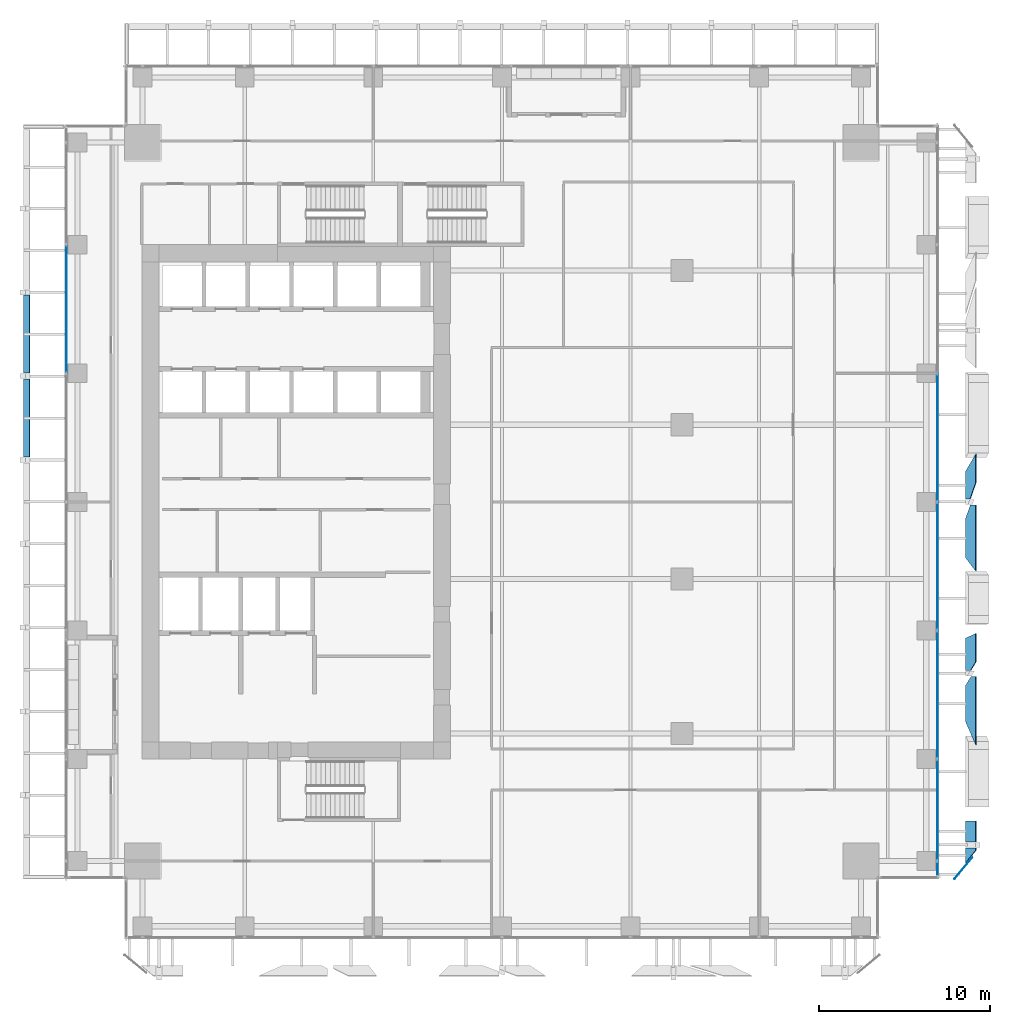
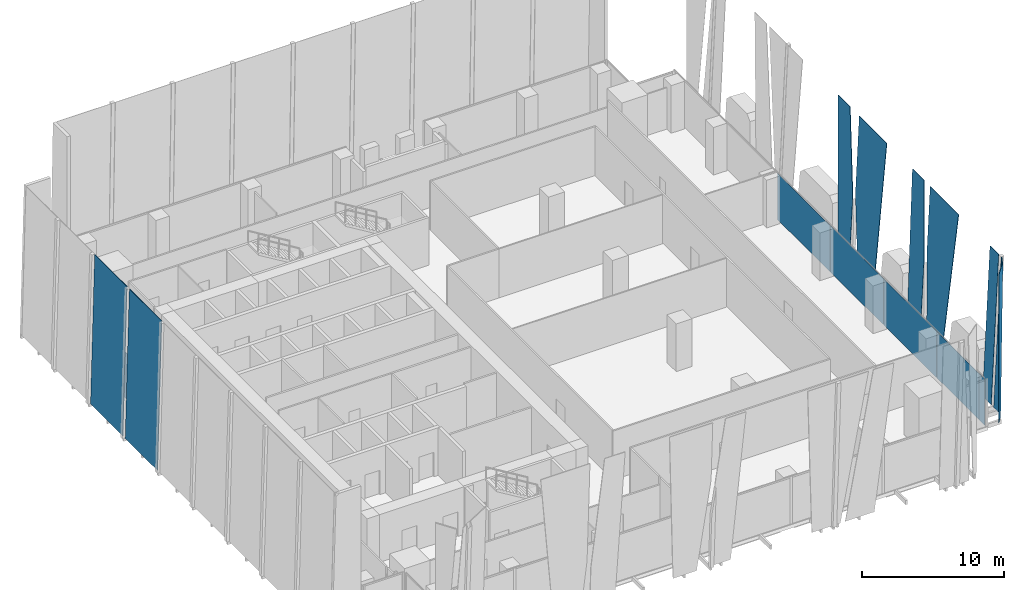
# One storey, part 23 of 34: 15 plates, 2 elements without a shape of their own.
"""IFC4 building model written with IfcOpenShell, lengths in metres."""

from ifc_helpers import new_model, si_unit, direction, frame, origin, origin_2d, place, context, subcontext, project, spatial, polyline, rectangle, outline, extrude, source, transform, mapped, material, layer, layer_set, type_object, element, aggregate, save


model = new_model("IFC4")

# Units and contexts
model_context = context("Model", 3, precision=1e-05, world=origin(), true_north=direction((0.0, 1.0)))
body_context = subcontext(model_context, "Body", "Model", "MODEL_VIEW")
ifc_project = project(units=[si_unit("LENGTHUNIT", "METRE"), si_unit("AREAUNIT", "SQUARE_METRE"), si_unit("VOLUMEUNIT", "CUBIC_METRE"), si_unit("PLANEANGLEUNIT", "RADIAN"), si_unit("MASSUNIT", "GRAM", prefix="KILO")], contexts=[model_context])

# Site, building, storey
site_placement = place(None, origin())
site = spatial("IfcSite", under=ifc_project, at=site_placement, CompositionType="ELEMENT")
building_placement = place(site_placement, origin())
building = spatial("IfcBuilding", under=site, at=building_placement, Name="Khomas Fold Tower", CompositionType="ELEMENT")
storey_placement = place(building_placement, frame((0.0, 0.0, 114.699951171875)))
storey = spatial("IfcBuildingStorey", under=building, at=storey_placement, Name="L24", CompositionType="ELEMENT", Elevation=114.699951171875)

# Plates
ifc_material_1 = material(Name="Clear laminated glass", Category="glass")
ifc_layer_1 = layer(ifc_material_1, 0.0400390625)
ifc_layer_set_1 = layer_set([ifc_layer_1], Name="Clear laminated glass")
plate_type_1 = type_object("IfcPlateType", Name="SK-Clear laminated glass leaf", PredefinedType="SHEET", material=ifc_layer_set_1)
plate_1_placement = place(storey_placement, frame((54.026611328125, 5.9521484375, 0.0), z_axis=(-0.998875266546, 0.0, 0.047415207295), x_axis=(0.047338631629, 0.056810177127, 0.997262080764)))
element("IfcPlate", 1, at=plate_1_placement, inside=storey, type_object=plate_type_1, Name="OUTER SKIN glass L24 EG098-1", PredefinedType="SHEET", context=body_context, shape_type="SweptSolid", body=[
    extrude(outline(polyline([(0.0, 0.0), (12.78500430922721, 0.0), (12.793617375632431, 0.15136647549218307), (0.049875341051813044, 0.8765118290980521), (0.0, 0.0)])), origin(), (0.0, 0.0, -1.0), 0.0400390625),
])
plate_2_placement = place(storey_placement, frame((54.026611328125, 8.39990234375, 0.0), z_axis=(-0.998875266546, 0.0, 0.047415207295), x_axis=(0.0, -1.0, 0.0)))
element("IfcPlate", 2, at=plate_2_placement, inside=storey, type_object=plate_type_1, Name="OUTER SKIN glass L24 EG099-3", PredefinedType="SHEET", context=body_context, shape_type="SweptSolid", body=[
    extrude(outline(polyline([(0.0, 0.0), (1.22998046875, 0.0), (1.22998046875, 12.764356498773965), (0.0, 12.764356498773965), (0.0, 0.0)])), origin(), (0.0, 0.0, -1.0), 0.0400390625),
])
plate_3_placement = place(storey_placement, frame((53.859619140625, 5.551513671875, 0.0), z_axis=(0.768179261714, -0.64023481775, 3.65917e-06), x_axis=(-0.640234817754, -0.768179261719, 2.38e-10)))
element("IfcPlate", 3, at=plate_3_placement, inside=storey, type_object=plate_type_1, Name="OUTER SKIN glass L24 EG098-4", PredefinedType="SHEET", context=body_context, shape_type="SweptSolid", body=[
    extrude(outline(polyline([(0.0, 0.0), (0.7179880649547179, 0.0), (0.7179880679862933, -12.749999999914643), (-0.9454285655296739, -12.75000000048087), (0.0, 0.0)])), origin(), (0.0, 0.0, -1.0), 0.0400390625),
])
plate_4_placement = place(storey_placement, frame((54.026611328125, 19.039306640625, 0.0), z_axis=(-0.998875317819, 2.7541205e-05, 0.047414119134), x_axis=(-2.751023e-05, -0.999999999621, 1.305842e-06)))
element("IfcPlate", 4, at=plate_4_placement, inside=storey, type_object=plate_type_1, Name="OUTER SKIN glass L24 EG101-6", PredefinedType="SHEET", context=body_context, shape_type="SweptSolid", body=[
    extrude(outline(polyline([(0.0, 0.0), (1.8693847649160191, -3.958576218949083e-22), (1.8693847675947208, 6.345755390910262), (1.3645019522245376, 12.764356498766391), (-0.2976074221450924, 12.764356498766391), (0.0, 0.0)])), origin(), (0.0, 0.0, -1.0), 0.0400390625),
])
plate_5_placement = place(storey_placement, frame((54.026611328125, 16.269775390625, 0.0), z_axis=(-0.998875293619, 1.3048677e-05, 0.047414635152), x_axis=(-1.3034001e-05, -0.999999999915, 6.18698e-07)))
element("IfcPlate", 5, at=plate_5_placement, inside=storey, type_object=plate_type_1, Name="OUTER SKIN glass L24 EG100-7", PredefinedType="SHEET", context=body_context, shape_type="SweptSolid", body=[
    extrude(outline(polyline([(0.0, 0.0), (2.0642089841992655, 0.0), (3.4423828121115343, 12.76435649877187), (-0.5603027344227007, 12.76435649877187), (-0.5603027354556985, 7.124472117003186), (0.0, 0.0)])), origin(), (0.0, 0.0, -1.0), 0.0400390625),
])
plate_6_placement = place(storey_placement, frame((54.026611328125, 28.761962890625, 0.0), z_axis=(-0.998875237146, -8.220637e-06, 0.047415825942), x_axis=(8.21139e-06, -0.999999999966, -3.89788e-07)))
element("IfcPlate", 6, at=plate_6_placement, inside=storey, type_object=plate_type_1, Name="OUTER SKIN glass L24 EG103-9", PredefinedType="SHEET", context=body_context, shape_type="SweptSolid", body=[
    extrude(outline(polyline([(0.0, 0.0), (1.592041015571206, 8.428194960091084e-23), (1.5920410157910023, 5.6941499765773305), (0.6303710936637116, 12.764356498771516), (-1.0300292969051845, 12.764356498771516), (0.0, 0.0)])), origin(), (0.0, 0.0, -1.0), 0.0400390625),
])
plate_7_placement = place(storey_placement, frame((54.026611328125, 25.99169921875, 0.0), z_axis=(-0.998875286781, 6.504439e-06, 0.047414780555), x_axis=(-6.497123e-06, -0.999999999979, 3.08407e-07)))
element("IfcPlate", 7, at=plate_7_placement, inside=storey, type_object=plate_type_1, Name="OUTER SKIN glass L24 EG102-10", PredefinedType="SHEET", context=body_context, shape_type="SweptSolid", body=[
    extrude(outline(polyline([(0.0, 0.0), (2.228515624952858, -1.1797663486537557e-22), (3.0332031249003664, 12.7643564987728), (-0.8383789062677349, 12.7643564987728), (-0.8383789065258163, 6.162450707636131), (0.0, 0.0)])), origin(), (0.0, 0.0, -1.0), 0.0400390625),
])
for number, where, z_axis, x_axis, name in (
    (8, (-0.894287109375, 29.614501953125, 0.0009765625), (-0.999657592188, 0.0, 0.026166741891), (0.0, 1.0, 0.0), "OUTER SKIN glass L24 W11"),
    (9, (-0.894287109375, 34.50341796875, 0.0009765625), (-0.999657592188, 0.0, 0.026166741891), (0.0, 1.0, 0.0), "OUTER SKIN glass L24 W13"),
):
    element("IfcPlate", number, at=place(storey_placement, frame(where, z_axis=z_axis, x_axis=x_axis)), inside=storey, type_object=plate_type_1, Name=name, PredefinedType="SHEET", context=body_context, shape_type="SweptSolid", body=[
        extrude(outline(polyline([(0.0, 0.0), (4.548828125, 0.0), (4.548828125, -12.75436719496662), (0.0, -12.75436719496662), (0.0, 0.0)])), origin(), (0.0, 0.0, -1.0), 0.0400390625),
    ])

# Curtain wall, plates
ifc_material_2 = material(Name="Aluminium framed double glazing", Category="aluminium")
curtain_wall_type = type_object("IfcCurtainWallType", Name="SK-Unitised clear-glass wall, growing floors CW1", PredefinedType="NOTDEFINED", material=ifc_material_2)
curtain_wall_1_placement = place(storey_placement, origin())
curtain_wall_1 = element("IfcCurtainWall", 10, at=curtain_wall_1_placement, inside=storey, type_object=curtain_wall_type, Name="CW1 run L24 03-0", PredefinedType="NOTDEFINED")
ifc_material_3 = material(Name="Clear double glazed unit")
ifc_layer_2 = layer(ifc_material_3, 0.031982421875)
ifc_layer_set_2 = layer_set([ifc_layer_2], Name="Clear double glazed unit")
plate_type_2 = type_object("IfcPlateType", Name="SK-Unitised clear-glass wall, growing floors glass panel CW1-P", PredefinedType="CURTAIN_PANEL", material=ifc_layer_set_2)
shared_shape_1 = source(origin(), body_context, "Body", "SweptSolid", [
    extrude(rectangle(XDim=0.760009765625, YDim=0.031982421875, at=origin_2d()), origin(), (0.0, 0.0, 1.0), 3.97998046875),
])
plate_8_placement = place(storey_placement, frame((52.39990234375, 5.639892578125, 0.0), z_axis=(0.0, 0.0, 1.0), x_axis=(0.0, 1.0, 0.0)))
plate_8 = element("IfcPlate", 11, at=plate_8_placement, type_object=plate_type_2, Name="CW1 glass panel 1", PredefinedType="CURTAIN_PANEL", context=body_context, shape_type="MappedRepresentation", body=[
    mapped(shared_shape_1, transform((0.0, 0.0, 0.0))),
])
shared_shape_2 = source(origin(), body_context, "Body", "SweptSolid", [
    extrude(rectangle(XDim=5.889892578125, YDim=0.031982421875, at=origin_2d()), origin(), (0.0, 0.0, 1.0), 3.97998046875),
])
plate_9_placement = place(storey_placement, frame((52.39990234375, 9.02490234375, 0.0), z_axis=(0.0, 0.0, 1.0), x_axis=(0.0, 1.0, 0.0)))
plate_9 = element("IfcPlate", 12, at=plate_9_placement, type_object=plate_type_2, Name="CW1 glass panel 2", PredefinedType="CURTAIN_PANEL", context=body_context, shape_type="MappedRepresentation", body=[
    mapped(shared_shape_2, transform((0.0, 0.0, 0.0))),
])
shared_shape_3 = source(origin(), body_context, "Body", "SweptSolid", [
    extrude(rectangle(XDim=7.43994140625, YDim=0.031982421875, at=origin_2d()), origin(), (0.0, 0.0, 1.0), 3.97998046875),
])
plate_10_placement = place(storey_placement, frame((52.39990234375, 15.75, 0.0), z_axis=(0.0, 0.0, 1.0), x_axis=(0.0, 1.0, 0.0)))
plate_10 = element("IfcPlate", 13, at=plate_10_placement, type_object=plate_type_2, Name="CW1 glass panel 3", PredefinedType="CURTAIN_PANEL", context=body_context, shape_type="MappedRepresentation", body=[
    mapped(shared_shape_3, transform((0.0, 0.0, 0.0))),
])
plate_11_placement = place(storey_placement, frame((52.39990234375, 23.25, 0.0), z_axis=(0.0, 0.0, 1.0), x_axis=(0.0, 1.0, 0.0)))
plate_11 = element("IfcPlate", 14, at=plate_11_placement, type_object=plate_type_2, Name="CW1 glass panel 4", PredefinedType="CURTAIN_PANEL", context=body_context, shape_type="MappedRepresentation", body=[
    mapped(shared_shape_3, transform((0.0, 0.0, 0.0))),
])
plate_12_placement = place(storey_placement, frame((52.39990234375, 30.75, 0.0), z_axis=(0.0, 0.0, 1.0), x_axis=(0.0, 1.0, 0.0)))
plate_12 = element("IfcPlate", 15, at=plate_12_placement, type_object=plate_type_2, Name="CW1 glass panel 5", PredefinedType="CURTAIN_PANEL", context=body_context, shape_type="MappedRepresentation", body=[
    mapped(shared_shape_3, transform((0.0, 0.0, 0.0))),
])
aggregate(curtain_wall_1, [plate_8, plate_9, plate_10, plate_11, plate_12])

# Curtain wall, plate
curtain_wall_2_placement = place(storey_placement, origin())
curtain_wall_2 = element("IfcCurtainWall", 16, at=curtain_wall_2_placement, inside=storey, type_object=curtain_wall_type, Name="CW1 run L24 09-0", PredefinedType="NOTDEFINED")
plate_13_placement = place(storey_placement, frame((1.60009765625, 38.25, 0.0), z_axis=(0.0, 0.0, 1.0), x_axis=(0.0, -1.0, 0.0)))
plate_13 = element("IfcPlate", 17, at=plate_13_placement, type_object=plate_type_2, Name="CW1 glass panel 3", PredefinedType="CURTAIN_PANEL", context=body_context, shape_type="MappedRepresentation", body=[
    mapped(shared_shape_3, transform((0.0, 0.0, 0.0))),
])
aggregate(curtain_wall_2, [plate_13])

save(model, "model.ifc")
